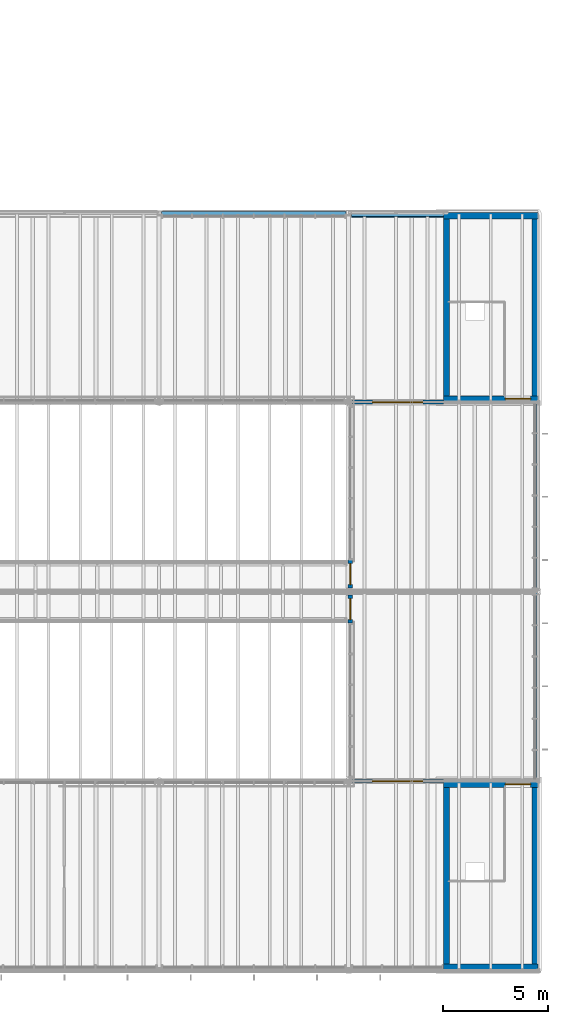
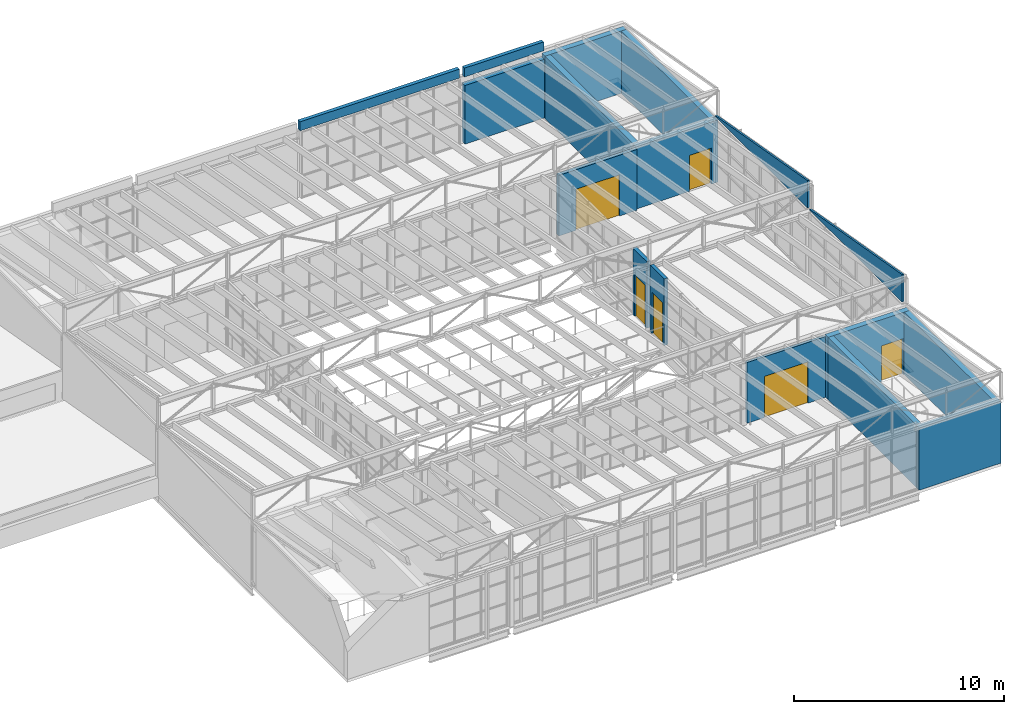
# One storey, part 36 of 44: 17 walls, 6 doors, 6 openings.
"""IFC4 building model written with IfcOpenShell, lengths in metres."""

from ifc_helpers import new_model, si_unit, direction, frame, frame_2d, origin, place, context, subcontext, project, spatial, polyline, rectangle, outline, extrude, material, layer, layer_set, type_object, element, fill, save


model = new_model("IFC4")

# Units and contexts
model_context = context("Model", 3, precision=1e-05, world=origin(), true_north=direction((0.0, 1.0)))
body_context = subcontext(model_context, "Body", "Model", "MODEL_VIEW")
ifc_project = project(units=[si_unit("LENGTHUNIT", "METRE"), si_unit("AREAUNIT", "SQUARE_METRE"), si_unit("VOLUMEUNIT", "CUBIC_METRE"), si_unit("PLANEANGLEUNIT", "RADIAN"), si_unit("MASSUNIT", "GRAM", prefix="KILO")], contexts=[model_context])

# Site, building, storey
site_placement = place(None, origin())
site = spatial("IfcSite", under=ifc_project, at=site_placement, CompositionType="ELEMENT")
building_placement = place(site_placement, origin())
building = spatial("IfcBuilding", under=site, at=building_placement, Name="Halyard Row Museum", CompositionType="ELEMENT")
storey_placement = place(building_placement, frame((0.0, 0.0, 21.199951171875)))
storey = spatial("IfcBuildingStorey", under=building, at=storey_placement, Name="L04", CompositionType="ELEMENT", Elevation=21.199951171875)

# Walls
ifc_material_1 = material(Name="Concrete 40 MPa", Category="concrete")
ifc_layer_1 = layer(ifc_material_1, 0.300048828125)
ifc_layer_set_1 = layer_set([ifc_layer_1], Name="Concrete 40 MPa")
wall_type_1 = type_object("IfcWallType", Name="Exitway wall 300 reinforced concrete", PredefinedType="SOLIDWALL", material=ifc_layer_set_1)
wall_1_placement = place(storey_placement, frame((103.5, 0.14990234375, 0.0), z_axis=(0.0, 0.0, 1.0), x_axis=(1.0, 0.0, 0.0)))
element("IfcWall", 1, at=wall_1_placement, inside=storey, type_object=wall_type_1, Name="Core wall K2B S L04", PredefinedType="SOLIDWALL", context=body_context, shape_type="SweptSolid", body=[
    extrude(rectangle(XDim=4.5, YDim=0.300048828125, at=frame_2d((2.25, 0.0))), origin(), (0.0, 0.0, 1.0), 3.628173828125),
])
wall_2_placement = place(storey_placement, frame((107.85009765625, 0.300048828125, 0.0), z_axis=(0.0, 0.0, 1.0), x_axis=(0.0, 1.0, 0.0)))
element("IfcWall", 2, at=wall_2_placement, inside=storey, type_object=wall_type_1, Name="Core wall K2B E L04", PredefinedType="SOLIDWALL", context=body_context, shape_type="SweptSolid", body=[
    extrude(rectangle(XDim=8.39990234375, YDim=0.300048828125, at=frame_2d((4.199951171875, 0.0))), origin(), (0.0, 0.0, 1.0), 3.628173828125),
])

# Wall, opening, door
wall_3_placement = place(storey_placement, frame((103.5, 8.85009765625, 0.0), z_axis=(0.0, 0.0, 1.0), x_axis=(1.0, 0.0, 0.0)))
wall_3 = element("IfcWall", 3, at=wall_3_placement, inside=storey, type_object=wall_type_1, Name="Core wall K2B N L04", PredefinedType="SOLIDWALL", context=body_context, shape_type="SweptSolid", body=[
    extrude(rectangle(XDim=4.5, YDim=0.300048828125, at=frame_2d((2.25, 0.0))), origin(), (0.0, 0.0, 1.0), 3.628173828125),
])
opening_1_placement = place(wall_3_placement, frame((2.949951171875, 0.0, 0.0)))
opening_1 = element("IfcOpeningElement", 4, at=opening_1_placement, cuts=wall_3, Name="Opening DL04-002", PredefinedType="OPENING", context=body_context, shape_type="SweptSolid", body=[
    extrude(rectangle(XDim=1.199951171875, YDim=2.10009765625, at=frame_2d((0.60009765625, 1.050048828125))), frame((0.0, 0.159912109375, 0.0), z_axis=(0.0, -1.0, 0.0), x_axis=(1.0, 0.0, 0.0)), (0.0, 0.0, 1.0), 0.320068359375),
])
ifc_material_2 = material(Name="Fire-resisting timber door leaf and steel frame", Category="steel")
door_type_1 = type_object("IfcDoorType", Name="Exitway door 1200 x 2100 fire rated", OperationType="NOTDEFINED", PredefinedType="DOOR", material=ifc_material_2)
door_1_placement = place(opening_1_placement, frame((1.199951171875, 0.0, 0.0), z_axis=(0.0, 0.0, 1.0), x_axis=(-1.0, 0.0, 0.0)))
door_1 = element("IfcDoor", 5, at=door_1_placement, inside=storey, type_object=door_type_1, Name="Exitway door K2B L04", OperationType="SINGLE_SWING_RIGHT", OverallHeight=2.10009765625, OverallWidth=1.199951171875, PredefinedType="DOOR", context=body_context, shape_type="SweptSolid", body=[
    extrude(rectangle(XDim=1.199951171875, YDim=2.10009765625, at=frame_2d((0.60009765625, 1.050048828125))), frame((0.0, 0.02490234375, 0.0), z_axis=(0.0, -1.0, 0.0), x_axis=(1.0, 0.0, 0.0)), (0.0, 0.0, 1.0), 0.050048828125),
])
fill(opening_1, door_1)

# Wall
wall_4_placement = place(storey_placement, frame((103.64990234375, 0.300048828125, 0.0), z_axis=(0.0, 0.0, 1.0), x_axis=(0.0, 1.0, 0.0)))
element("IfcWall", 6, at=wall_4_placement, inside=storey, type_object=wall_type_1, Name="Core wall K2B W L04", PredefinedType="SOLIDWALL", context=body_context, shape_type="SweptSolid", body=[
    extrude(rectangle(XDim=8.39990234375, YDim=0.300048828125, at=frame_2d((4.199951171875, 0.0))), origin(), (0.0, 0.0, 1.0), 3.628173828125),
])

# Wall, opening, door
wall_5_placement = place(storey_placement, frame((103.5, 27.14990234375, 0.0), z_axis=(0.0, 0.0, 1.0), x_axis=(1.0, 0.0, 0.0)))
wall_5 = element("IfcWall", 7, at=wall_5_placement, inside=storey, type_object=wall_type_1, Name="Core wall K2C S L04", PredefinedType="SOLIDWALL", context=body_context, shape_type="SweptSolid", body=[
    extrude(rectangle(XDim=4.5, YDim=0.300048828125, at=frame_2d((2.25, 0.0))), origin(), (0.0, 0.0, 1.0), 3.628173828125),
])
opening_2_placement = place(wall_5_placement, frame((2.949951171875, 0.0, 0.0)))
opening_2 = element("IfcOpeningElement", 8, at=opening_2_placement, cuts=wall_5, Name="Opening DL04-003", PredefinedType="OPENING", context=body_context, shape_type="SweptSolid", body=[
    extrude(rectangle(XDim=1.199951171875, YDim=2.10009765625, at=frame_2d((0.60009765625, 1.050048828125))), frame((0.0, 0.159912109375, 0.0), z_axis=(0.0, -1.0, 0.0), x_axis=(1.0, 0.0, 0.0)), (0.0, 0.0, 1.0), 0.320068359375),
])
door_2_placement = place(opening_2_placement, origin())
door_2 = element("IfcDoor", 9, at=door_2_placement, inside=storey, type_object=door_type_1, Name="Exitway door K2C L04", OperationType="SINGLE_SWING_LEFT", OverallHeight=2.10009765625, OverallWidth=1.199951171875, PredefinedType="DOOR", context=body_context, shape_type="SweptSolid", body=[
    extrude(rectangle(XDim=1.199951171875, YDim=2.10009765625, at=frame_2d((0.60009765625, 1.050048828125))), frame((0.0, 0.02490234375, 0.0), z_axis=(0.0, -1.0, 0.0), x_axis=(1.0, 0.0, 0.0)), (0.0, 0.0, 1.0), 0.050048828125),
])
fill(opening_2, door_2)

# Walls
wall_6_placement = place(storey_placement, frame((107.85009765625, 27.300048828125, 0.0), z_axis=(0.0, 0.0, 1.0), x_axis=(0.0, 1.0, 0.0)))
element("IfcWall", 10, at=wall_6_placement, inside=storey, type_object=wall_type_1, Name="Core wall K2C E L04", PredefinedType="SOLIDWALL", context=body_context, shape_type="SweptSolid", body=[
    extrude(rectangle(XDim=8.39990234375, YDim=0.300048828125, at=frame_2d((4.199951171875, 0.0))), origin(), (0.0, 0.0, 1.0), 3.628173828125),
])
wall_7_placement = place(storey_placement, frame((103.5, 35.85009765625, 0.0), z_axis=(0.0, 0.0, 1.0), x_axis=(1.0, 0.0, 0.0)))
element("IfcWall", 11, at=wall_7_placement, inside=storey, type_object=wall_type_1, Name="Core wall K2C N L04", PredefinedType="SOLIDWALL", context=body_context, shape_type="SweptSolid", body=[
    extrude(rectangle(XDim=4.5, YDim=0.300048828125, at=frame_2d((2.25, 0.0))), origin(), (0.0, 0.0, 1.0), 3.628173828125),
])
wall_8_placement = place(storey_placement, frame((103.64990234375, 27.300048828125, 0.0), z_axis=(0.0, 0.0, 1.0), x_axis=(0.0, 1.0, 0.0)))
element("IfcWall", 12, at=wall_8_placement, inside=storey, type_object=wall_type_1, Name="Core wall K2C W L04", PredefinedType="SOLIDWALL", context=body_context, shape_type="SweptSolid", body=[
    extrude(rectangle(XDim=8.39990234375, YDim=0.300048828125, at=frame_2d((4.199951171875, 0.0))), origin(), (0.0, 0.0, 1.0), 3.628173828125),
])

# Wall, opening, door
ifc_material_3 = material(Name="Powder-coated aluminium section", Category="aluminium")
ifc_layer_2 = layer(ifc_material_3, 0.199951171875)
ifc_layer_set_2 = layer_set([ifc_layer_2], Name="Powder-coated aluminium section")
wall_type_2 = type_object("IfcWallType", Name="Fire-resisting screen frame 200", PredefinedType="SOLIDWALL", material=ifc_layer_set_2)
wall_9_placement = place(storey_placement, frame((99.080078125, 16.5, 0.0), z_axis=(0.0, 0.0, 1.0), x_axis=(0.0, 1.0, 0.0)))
wall_9 = element("IfcWall", 13, at=wall_9_placement, inside=storey, type_object=wall_type_2, Name="Wall WL04-804", PredefinedType="SOLIDWALL", context=body_context, shape_type="SweptSolid", body=[
    extrude(rectangle(XDim=1.338134765625, YDim=0.199951171875, at=frame_2d((0.6689453125, 0.0))), origin(), (0.0, 0.0, 1.0), 3.878173828125),
])
opening_3_placement = place(wall_9_placement, frame((0.1689453125, 0.0, 0.0)))
opening_3 = element("IfcOpeningElement", 14, at=opening_3_placement, cuts=wall_9, Name="Opening DL04-400", PredefinedType="OPENING", context=body_context, shape_type="SweptSolid", body=[
    extrude(rectangle(XDim=1.0, YDim=2.39990234375, at=frame_2d((0.5, 1.199951171875))), frame((0.0, 0.10986328125, 0.0), z_axis=(0.0, -1.0, 0.0), x_axis=(1.0, 0.0, 0.0)), (0.0, 0.0, 1.0), 0.219970703125),
])
ifc_material_4 = material(Name="Powder-coated aluminium section", Category="aluminium")
door_type_2 = type_object("IfcDoorType", Name="Door DE10 atrium screen single 1000 x 2400", OperationType="NOTDEFINED", PredefinedType="DOOR", material=ifc_material_4)
door_3_placement = place(opening_3_placement, frame((1.0, 0.0, 0.0), z_axis=(0.0, 0.0, 1.0), x_axis=(-1.0, 0.0, 0.0)))
door_3 = element("IfcDoor", 15, at=door_3_placement, inside=storey, type_object=door_type_2, Name="Door DL04-400", OperationType="SINGLE_SWING_LEFT", OverallHeight=2.39990234375, OverallWidth=1.0, PredefinedType="DOOR", context=body_context, shape_type="SweptSolid", body=[
    extrude(rectangle(XDim=1.0, YDim=2.39990234375, at=frame_2d((0.5, 1.199951171875))), frame((0.0, 0.02490234375, 0.0), z_axis=(0.0, -1.0, 0.0), x_axis=(1.0, 0.0, 0.0)), (0.0, 0.0, 1.0), 0.050048828125),
])
fill(opening_3, door_3)

wall_10_placement = place(storey_placement, frame((99.080078125, 18.161865234375, 0.0), z_axis=(0.0, 0.0, 1.0), x_axis=(0.0, 1.0, 0.0)))
wall_10 = element("IfcWall", 16, at=wall_10_placement, inside=storey, type_object=wall_type_2, Name="Wall WL04-805", PredefinedType="SOLIDWALL", context=body_context, shape_type="SweptSolid", body=[
    extrude(rectangle(XDim=1.338134765625, YDim=0.199951171875, at=frame_2d((0.6689453125, 0.0))), origin(), (0.0, 0.0, 1.0), 3.878173828125),
])
opening_4_placement = place(wall_10_placement, frame((0.1689453125, 0.0, 0.0)))
opening_4 = element("IfcOpeningElement", 17, at=opening_4_placement, cuts=wall_10, Name="Opening DL04-401", PredefinedType="OPENING", context=body_context, shape_type="SweptSolid", body=[
    extrude(rectangle(XDim=1.0, YDim=2.39990234375, at=frame_2d((0.5, 1.199951171875))), frame((0.0, 0.10986328125, 0.0), z_axis=(0.0, -1.0, 0.0), x_axis=(1.0, 0.0, 0.0)), (0.0, 0.0, 1.0), 0.219970703125),
])
door_4_placement = place(opening_4_placement, frame((1.0, 0.0, 0.0), z_axis=(0.0, 0.0, 1.0), x_axis=(-1.0, 0.0, 0.0)))
door_4 = element("IfcDoor", 18, at=door_4_placement, inside=storey, type_object=door_type_2, Name="Door DL04-401", OperationType="SINGLE_SWING_LEFT", OverallHeight=2.39990234375, OverallWidth=1.0, PredefinedType="DOOR", context=body_context, shape_type="SweptSolid", body=[
    extrude(rectangle(XDim=1.0, YDim=2.39990234375, at=frame_2d((0.5, 1.199951171875))), frame((0.0, 0.02490234375, 0.0), z_axis=(0.0, -1.0, 0.0), x_axis=(1.0, 0.0, 0.0)), (0.0, 0.0, 1.0), 0.050048828125),
])
fill(opening_4, door_4)

# Walls
ifc_material_5 = material(Name="Aluminium glazing frame with laminated glass", Category="aluminium")
ifc_layer_3 = layer(ifc_material_5, 0.10009765625)
ifc_layer_set_3 = layer_set([ifc_layer_3], Name="Aluminium glazing frame with laminated glass")
wall_type_3 = type_object("IfcWallType", Name="Gable glazed infill frame 100", PredefinedType="SOLIDWALL", material=ifc_layer_set_3)
wall_11_placement = place(storey_placement, frame((107.89990234375, 9.174560546875, 3.878173828125), z_axis=(0.0, 0.0, 1.0), x_axis=(0.0, 1.0, 0.0)))
element("IfcWall", 19, at=wall_11_placement, inside=storey, type_object=wall_type_3, Name="Wall WL04-809", PredefinedType="SOLIDWALL", context=body_context, shape_type="SweptSolid", body=[
    extrude(outline(polyline([(0.0, 0.0), (8.825439453125, 0.0), (8.825439453125, 0.050048828125), (0.0, 1.60009765625), (0.0, 0.0)])), frame((0.0, 0.050048828125, 0.0), z_axis=(0.0, -1.0, 0.0), x_axis=(1.0, 0.0, 0.0)), (0.0, 0.0, 1.0), 0.10009765625),
])
wall_12_placement = place(storey_placement, frame((107.89990234375, 18.18896484375, 3.878173828125), z_axis=(0.0, 0.0, 1.0), x_axis=(0.0, 1.0, 0.0)))
element("IfcWall", 20, at=wall_12_placement, inside=storey, type_object=wall_type_3, Name="Wall WL04-811", PredefinedType="SOLIDWALL", context=body_context, shape_type="SweptSolid", body=[
    extrude(outline(polyline([(0.0, 0.0), (8.81103515625, 0.0), (8.81103515625, 0.050048828125), (0.0, 1.60009765625), (0.0, 0.0)])), frame((0.0, 0.050048828125, 0.0), z_axis=(0.0, -1.0, 0.0), x_axis=(1.0, 0.0, 0.0)), (0.0, 0.0, 1.0), 0.10009765625),
])

# Wall, opening, door
ifc_material_6 = material(Name="Plasterboard on steel studs with mineral wool", Category="steel")
ifc_layer_4 = layer(ifc_material_6, 0.14990234375)
ifc_layer_set_4 = layer_set([ifc_layer_4], Name="Plasterboard on steel studs with mineral wool")
wall_type_4 = type_object("IfcWallType", Name="Gallery wall 150", PredefinedType="PARTITIONING", material=ifc_layer_set_4)
wall_13_placement = place(storey_placement, frame((99.177734375, 9.0, 0.0), z_axis=(0.0, 0.0, 1.0), x_axis=(1.0, 0.0, 0.0)))
wall_13 = element("IfcWall", 21, at=wall_13_placement, inside=storey, type_object=wall_type_4, Name="Partition Skylit Gallery South / Skylit Gallery East", PredefinedType="PARTITIONING", context=body_context, shape_type="SweptSolid", body=[
    extrude(rectangle(XDim=4.322265625, YDim=0.14990234375, at=frame_2d((2.1611328125, 0.0))), origin(), (0.0, 0.0, 1.0), 3.539794921875),
])
opening_5_placement = place(wall_13_placement, frame((0.949951171875, 0.0, 0.0)))
opening_5 = element("IfcOpeningElement", 22, at=opening_5_placement, cuts=wall_13, Name="Opening DL04-005", PredefinedType="OPENING", context=body_context, shape_type="SweptSolid", body=[
    extrude(rectangle(XDim=2.39990234375, YDim=2.39990234375, at=frame_2d((1.199951171875, 1.199951171875))), frame((0.0, 0.0849609375, 0.0), z_axis=(0.0, -1.0, 0.0), x_axis=(1.0, 0.0, 0.0)), (0.0, 0.0, 1.0), 0.169921875),
])
ifc_material_7 = material(Name="Timber veneered door leaf and softwood frame", Category="wood")
door_type_3 = type_object("IfcDoorType", Name="Double door 2400 x 2400 gallery", OperationType="NOTDEFINED", PredefinedType="DOOR", material=ifc_material_7)
door_5_placement = place(opening_5_placement, frame((2.39990234375, 0.0, 0.0), z_axis=(0.0, 0.0, 1.0), x_axis=(-1.0, 0.0, 0.0)))
door_5 = element("IfcDoor", 23, at=door_5_placement, inside=storey, type_object=door_type_3, Name="Door Skylit Gallery South to Skylit Gallery East", OperationType="DOUBLE_DOOR_SINGLE_SWING", OverallHeight=2.39990234375, OverallWidth=2.39990234375, PredefinedType="DOOR", context=body_context, shape_type="SweptSolid", body=[
    extrude(rectangle(XDim=2.39990234375, YDim=2.39990234375, at=frame_2d((1.199951171875, 1.199951171875))), frame((0.0, 0.02490234375, 0.0), z_axis=(0.0, -1.0, 0.0), x_axis=(1.0, 0.0, 0.0)), (0.0, 0.0, 1.0), 0.050048828125),
])
fill(opening_5, door_5)

ifc_material_8 = material(Name="Plasterboard on steel studs with mineral wool", Category="steel")
ifc_layer_5 = layer(ifc_material_8, 0.199951171875)
ifc_layer_set_5 = layer_set([ifc_layer_5], Name="Plasterboard on steel studs with mineral wool")
wall_type_5 = type_object("IfcWallType", Name="Gallery wall 200 double stud fire rated", PredefinedType="PARTITIONING", material=ifc_layer_set_5)
wall_14_placement = place(storey_placement, frame((99.177734375, 27.0, 0.0), z_axis=(0.0, 0.0, 1.0), x_axis=(1.0, 0.0, 0.0)))
wall_14 = element("IfcWall", 24, at=wall_14_placement, inside=storey, type_object=wall_type_5, Name="Partition Skylit Gallery East / Stair Lobby K2C L04", PredefinedType="PARTITIONING", context=body_context, shape_type="SweptSolid", body=[
    extrude(rectangle(XDim=4.322265625, YDim=0.199951171875, at=frame_2d((2.1611328125, 0.0))), origin(), (0.0, 0.0, 1.0), 3.539794921875),
])
opening_6_placement = place(wall_14_placement, frame((0.949951171875, 0.0, 0.0)))
opening_6 = element("IfcOpeningElement", 25, at=opening_6_placement, cuts=wall_14, Name="Opening DL04-007", PredefinedType="OPENING", context=body_context, shape_type="SweptSolid", body=[
    extrude(rectangle(XDim=2.39990234375, YDim=2.39990234375, at=frame_2d((1.199951171875, 1.199951171875))), frame((0.0, 0.10986328125, 0.0), z_axis=(0.0, -1.0, 0.0), x_axis=(1.0, 0.0, 0.0)), (0.0, 0.0, 1.0), 0.219970703125),
])
ifc_material_9 = material(Name="Timber veneered door leaf and softwood frame", Category="wood")
door_type_4 = type_object("IfcDoorType", Name="Double door 2400 x 2400 gallery fire rated", OperationType="NOTDEFINED", PredefinedType="DOOR", material=ifc_material_9)
door_6_placement = place(opening_6_placement, frame((2.39990234375, 0.0, 0.0), z_axis=(0.0, 0.0, 1.0), x_axis=(-1.0, 0.0, 0.0)))
door_6 = element("IfcDoor", 26, at=door_6_placement, inside=storey, type_object=door_type_4, Name="Door Skylit Gallery East to Stair Lobby K2C L04", OperationType="DOUBLE_DOOR_SINGLE_SWING", OverallHeight=2.39990234375, OverallWidth=2.39990234375, PredefinedType="DOOR", context=body_context, shape_type="SweptSolid", body=[
    extrude(rectangle(XDim=2.39990234375, YDim=2.39990234375, at=frame_2d((1.199951171875, 1.199951171875))), frame((0.0, 0.02490234375, 0.0), z_axis=(0.0, -1.0, 0.0), x_axis=(1.0, 0.0, 0.0)), (0.0, 0.0, 1.0), 0.050048828125),
])
fill(opening_6, door_6)

# Walls
ifc_material_10 = material(Name="Fire-retardant timber rainscreen on insulated steel-stud wall", Category="steel")
ifc_layer_6 = layer(ifc_material_10, 0.199951171875)
ifc_layer_set_6 = layer_set([ifc_layer_6], Name="Fire-retardant timber rainscreen on insulated steel-stud wall")
wall_type_6 = type_object("IfcWallType", Name="Parapet 200 timber-clad", PredefinedType="PARAPET", material=ifc_layer_set_6)
wall_15_placement = place(storey_placement, frame((99.125, 35.909912109375, 3.878173828125), z_axis=(0.0, 0.0, 1.0), x_axis=(1.0, 0.0, 0.0)))
element("IfcWall", 27, at=wall_15_placement, inside=storey, type_object=wall_type_6, Name="Wall PAL04-50", PredefinedType="PARAPET", context=body_context, shape_type="SweptSolid", body=[
    extrude(rectangle(XDim=4.375, YDim=0.199951171875, at=frame_2d((2.1875, 0.0))), origin(), (0.0, 0.0, 1.0), 0.52197265625),
])
wall_16_placement = place(storey_placement, frame((90.10009765625, 35.9599609375, 3.878173828125), z_axis=(0.0, 0.0, 1.0), x_axis=(1.0, 0.0, 0.0)))
element("IfcWall", 28, at=wall_16_placement, inside=storey, type_object=wall_type_6, Name="Wall PAL04-52", PredefinedType="PARAPET", context=body_context, shape_type="SweptSolid", body=[
    extrude(rectangle(XDim=8.77490234375, YDim=0.199951171875, at=frame_2d((4.387451171875, 0.0))), origin(), (0.0, 0.0, 1.0), 0.52197265625),
])
ifc_material_11 = material(Name="Fire-retardant timber rainscreen on insulated steel-stud wall", Category="steel")
ifc_layer_7 = layer(ifc_material_11, 0.300048828125)
ifc_layer_set_7 = layer_set([ifc_layer_7], Name="Fire-retardant timber rainscreen on insulated steel-stud wall")
wall_type_7 = type_object("IfcWallType", Name="Rainscreen wall 300 timber-clad", PredefinedType="SOLIDWALL", material=ifc_layer_set_7)
wall_17_placement = place(storey_placement, frame((99.125, 35.909912109375, 0.0), z_axis=(0.0, 0.0, 1.0), x_axis=(1.0, 0.0, 0.0)))
element("IfcWall", 29, at=wall_17_placement, inside=storey, type_object=wall_type_7, Name="Wall WL04-800", PredefinedType="SOLIDWALL", context=body_context, shape_type="SweptSolid", body=[
    extrude(rectangle(XDim=4.375, YDim=0.300048828125, at=frame_2d((2.1875, 0.0))), origin(), (0.0, 0.0, 1.0), 3.419677734375),
])

save(model, "model.ifc")
